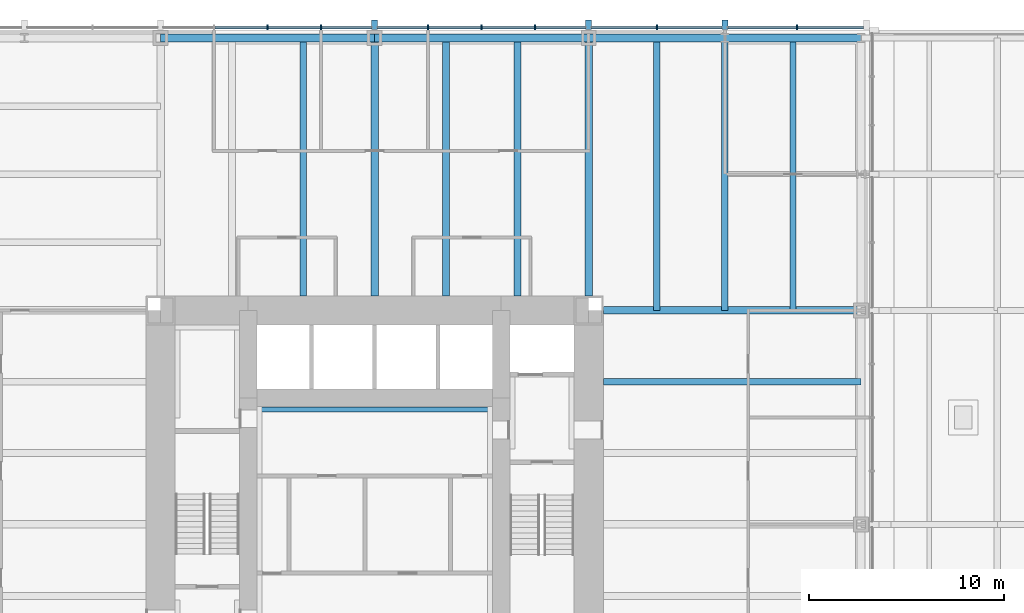
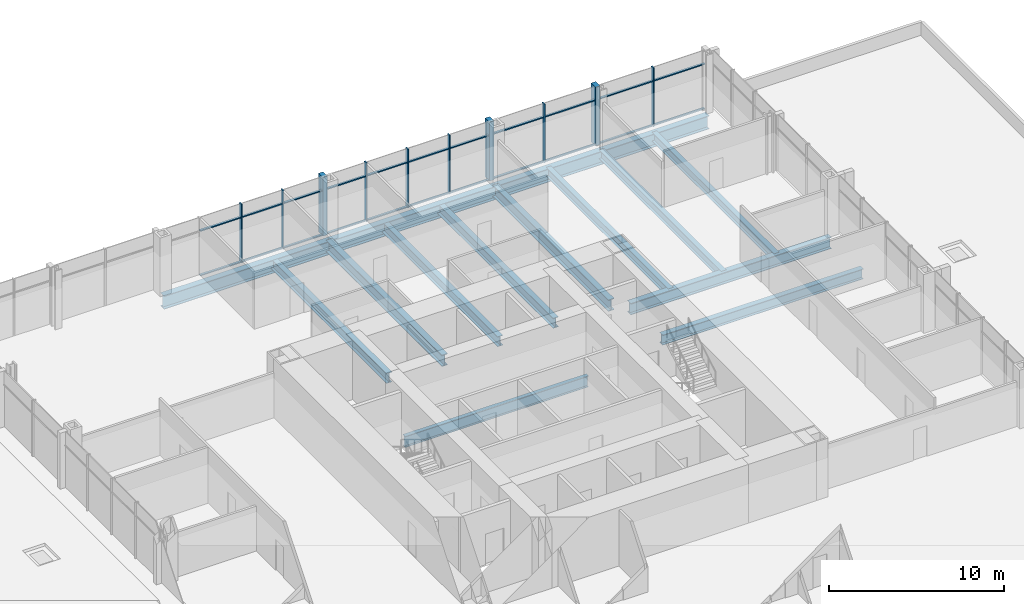
# One storey, part 6 of 15: 32 members, 15 beams, 1 element without a shape of its own.
"""IFC4 building model written with IfcOpenShell, lengths in metres."""

import ifcopenshell
import ifcopenshell.guid

model = None  # the IFC model being written
_history = None  # IfcOwnerHistory: only IFC2X3 demands one
_inside = {}  # id of a spatial element -> (the spatial element, [elements in it])
_under = {}  # id of a project, library or spatial element -> (it, [spatial elements below it])
_declared = {}  # id of a project -> (the project, [libraries it declares])
_typed = {}  # id of a type object -> (the type object, [elements of that type])
_made_of = {}  # id of a material, layer set ... -> (it, [elements and type objects made of it])


def new_model(schema):
    """Start an empty IFC model of exactly this schema.

    Asked for "IFC4X3", IfcOpenShell would pick the latest addendum, in which some entities
    have other attributes; the version numbers below select the first issue.
    IFC2X3 requires an IfcOwnerHistory on every rooted entity: one is made here for all.
    """
    global model, _history
    if schema == "IFC4X3":
        model = ifcopenshell.file(schema_version=(4, 3, 0, 0))
    else:
        model = ifcopenshell.file(schema=schema)
    _inside.clear()
    _under.clear()
    _declared.clear()
    _typed.clear()
    _made_of.clear()
    _history = None
    if model.schema == "IFC2X3":
        org = make("IfcOrganization", Name="unknown")
        user = make(
            "IfcPersonAndOrganization",
            ThePerson=make("IfcPerson", FamilyName="unknown"),
            TheOrganization=org,
        )
        app = make(
            "IfcApplication",
            ApplicationDeveloper=org,
            Version="unknown",
            ApplicationFullName="unknown",
            ApplicationIdentifier="unknown",
        )
        _history = make(
            "IfcOwnerHistory",
            OwningUser=user,
            OwningApplication=app,
            ChangeAction="ADDED",
            CreationDate=0,
        )
    return model


def make(cls, **values):
    """One entity of the class cls with the attributes given. An attribute that is None is left unset."""
    return model.create_entity(
        cls, **{name: value for name, value in values.items() if value is not None}
    )


def rooted(cls, **values):
    """An entity with a GlobalId (a new one), such as an element, a storey or a relation."""
    return make(cls, GlobalId=ifcopenshell.guid.new(), OwnerHistory=_history, **values)


def si_unit(unit_type, name, prefix=None):
    """IfcSIUnit, for example si_unit("LENGTHUNIT", "METRE", prefix="MILLI")."""
    return make("IfcSIUnit", UnitType=unit_type, Prefix=prefix, Name=name)


def assignment(units):
    """IfcUnitAssignment: the units of a project."""
    return None if units is None else make("IfcUnitAssignment", Units=units)


def point(xyz):
    """IfcCartesianPoint."""
    return None if xyz is None else make("IfcCartesianPoint", Coordinates=xyz)


def direction(xyz):
    """IfcDirection."""
    return None if xyz is None else make("IfcDirection", DirectionRatios=xyz)


def frame(location, z_axis=None, x_axis=None):
    """IfcAxis2Placement3D, a coordinate frame: its origin and axes. An axis left out is left unset."""
    return make(
        "IfcAxis2Placement3D",
        Location=point(location),
        Axis=direction(z_axis),
        RefDirection=direction(x_axis),
    )


def frame_2d(location, x_axis=None):
    """IfcAxis2Placement2D, a coordinate frame in the plane: its origin and x axis."""
    return make(
        "IfcAxis2Placement2D", Location=point(location), RefDirection=direction(x_axis)
    )


def origin():
    """The frame at (0, 0, 0) with its axes left unset."""
    return frame((0.0, 0.0, 0.0))


def origin_2d():
    """The frame at (0, 0) in the plane with its x axis left unset."""
    return frame_2d((0.0, 0.0))


def place(relative_to, where):
    """IfcLocalPlacement: puts the frame where relative to a parent placement (None: the world)."""
    return make(
        "IfcLocalPlacement", PlacementRelTo=relative_to, RelativePlacement=where
    )


def context(
    kind, dimensions, precision=None, world=None, true_north=None, identifier=None
):
    """IfcGeometricRepresentationContext, for example the 3D "Model" context."""
    return make(
        "IfcGeometricRepresentationContext",
        ContextIdentifier=identifier,
        ContextType=kind,
        CoordinateSpaceDimension=dimensions,
        Precision=precision,
        WorldCoordinateSystem=world,
        TrueNorth=true_north,
    )


def subcontext(parent, identifier, kind, view, scale=None):
    """IfcGeometricRepresentationSubContext, for example "Body" below "Model"."""
    return make(
        "IfcGeometricRepresentationSubContext",
        ContextIdentifier=identifier,
        ContextType=kind,
        ParentContext=parent,
        TargetScale=scale,
        TargetView=view,
    )


def project(units=None, contexts=None):
    """IfcProject with its units and contexts."""
    return rooted(
        "IfcProject",
        Name="project",
        RepresentationContexts=contexts,
        UnitsInContext=assignment(units),
    )


def spatial(cls, under=None, at=None, **own):
    """A site, building, storey or space (cls), placed at a placement, below another one or the project."""
    s = rooted(cls, ObjectPlacement=at, **own)
    if under is not None:
        _under.setdefault(under.id(), (under, []))[1].append(s)
    return s


def profile(cls, at=None, kind="AREA", **sizes):
    """A parametric profile (cls). Its sizes go by their IFC names, for example OverallWidth=200.0."""
    return make(cls, ProfileType=kind, Position=at, **sizes)


def rectangle(**sizes):
    """IfcRectangleProfileDef."""
    return profile("IfcRectangleProfileDef", **sizes)


def i_section(**sizes):
    """IfcIShapeProfileDef."""
    return profile("IfcIShapeProfileDef", **sizes)


def extrude(swept, where, along, depth):
    """IfcExtrudedAreaSolid: the profile swept, set in the frame where, extruded along a direction by depth."""
    return make(
        "IfcExtrudedAreaSolid",
        SweptArea=swept,
        Position=where,
        ExtrudedDirection=direction(along),
        Depth=depth,
    )


def shape(context_of_items, identifier, shape_type, items):
    """IfcShapeRepresentation: the items that make up one representation, for example the "Body"."""
    return make(
        "IfcShapeRepresentation",
        ContextOfItems=context_of_items,
        RepresentationIdentifier=identifier,
        RepresentationType=shape_type,
        Items=items,
    )


def material(Name=None, Category=None):
    """IfcMaterial."""
    return make("IfcMaterial", Name=Name, Category=Category)


def material_profile(
    of_material, cross_section, Name=None, Category=None, Priority=None
):
    """IfcMaterialProfile: a cross section and its material."""
    return make(
        "IfcMaterialProfile",
        Name=Name,
        Material=of_material,
        Profile=cross_section,
        Priority=Priority,
        Category=Category,
    )


def profile_set(profiles, Name=None, composite=None):
    """IfcMaterialProfileSet."""
    return make(
        "IfcMaterialProfileSet",
        Name=Name,
        MaterialProfiles=profiles,
        CompositeProfile=composite,
    )


def made_of(thing, what):
    """Note that an element or type object is made of a material, layer set ...; save() writes the relation."""
    if what is not None:
        _made_of.setdefault(what.id(), (what, []))[1].append(thing)
    return thing


def type_object(cls, material=None, **own):
    """A type object (cls), such as IfcWallType, which elements share."""
    return made_of(rooted(cls, **own), material)


def element(
    cls,
    number,
    at=None,
    inside=None,
    cuts=None,
    type_object=None,
    material=None,
    context=None,
    identifier="Body",
    shape_type=None,
    held_by="IfcProductDefinitionShape",
    body=None,
    shapes=None,
    **own,
):
    """One element of the class cls, such as IfcWall. Its Tag is "e" and its number.

    at: its placement. inside: the storey or other place that contains it. cuts: it is an
    opening in that element (IfcRelVoidsElement). A single representation is given by context,
    identifier, shape_type and body (its items); several are given by shapes. held_by: the class
    of the entity that holds the representations. save() writes the other relations.
    """
    e = rooted(cls, Tag="e%d" % number, ObjectPlacement=at, **own)
    if body is not None:
        shapes = [shape(context, identifier, shape_type, body)]
    if shapes is not None:
        e.Representation = make(held_by, Representations=shapes)
    if inside is not None:
        _inside.setdefault(inside.id(), (inside, []))[1].append(e)
    if cuts is not None:
        rooted(
            "IfcRelVoidsElement", RelatingBuildingElement=cuts, RelatedOpeningElement=e
        )
    if type_object is not None:
        _typed.setdefault(type_object.id(), (type_object, []))[1].append(e)
    return made_of(e, material)


def aggregate(whole, parts):
    """IfcRelAggregates: a whole, such as a stair, and the parts it consists of."""
    return rooted("IfcRelAggregates", RelatingObject=whole, RelatedObjects=parts)


def save(model, path):
    """Write the relations noted so far, then the file.

    IfcRelAggregates (storeys below a building ...), IfcRelContainedInSpatialStructure (elements
    in a storey), IfcRelDefinesByType, IfcRelAssociatesMaterial and IfcRelDeclares: one each for
    every whole, place, type object, material and project.
    """
    for whole, parts in _under.values():
        aggregate(whole, parts)
    for where, things in _inside.values():
        rooted(
            "IfcRelContainedInSpatialStructure",
            RelatedElements=things,
            RelatingStructure=where,
        )
    for kind, things in _typed.values():
        rooted("IfcRelDefinesByType", RelatedObjects=things, RelatingType=kind)
    for what, things in _made_of.values():
        rooted("IfcRelAssociatesMaterial", RelatedObjects=things, RelatingMaterial=what)
    for by, libraries in _declared.values():
        rooted("IfcRelDeclares", RelatingContext=by, RelatedDefinitions=libraries)
    model.write(path)


model = new_model("IFC4")

# Units and contexts
model_context = context("Model", 3, precision=1e-05, world=origin(), true_north=direction((0.0, 1.0)))
body_context = subcontext(model_context, "Body", "Model", "MODEL_VIEW")
ifc_project = project(units=[si_unit("LENGTHUNIT", "METRE"), si_unit("AREAUNIT", "SQUARE_METRE"), si_unit("VOLUMEUNIT", "CUBIC_METRE"), si_unit("PLANEANGLEUNIT", "RADIAN"), si_unit("MASSUNIT", "GRAM", prefix="KILO")], contexts=[model_context])

# Site, building, storey
site_placement = place(None, origin())
site = spatial("IfcSite", under=ifc_project, at=site_placement, CompositionType="ELEMENT")
building_placement = place(site_placement, origin())
building = spatial("IfcBuilding", under=site, at=building_placement, Name="Trevanion Tower", CompositionType="ELEMENT")
storey_placement = place(building_placement, frame((0.0, 0.0, 16.0)))
storey = spatial("IfcBuildingStorey", under=building, at=storey_placement, Name="L03", CompositionType="ELEMENT", Elevation=16.0)

# Beams
ifc_material_1 = material(Name="Steel ASTM A992 Grade 50", Category="steel")
ifc_material_profile_1 = material_profile(ifc_material_1, i_section(OverallWidth=0.355712890625, OverallDepth=0.700927734375, WebThickness=0.016845703125, FlangeThickness=0.02734375, at=origin_2d()), Name="W27X161")
ifc_profile_set_1 = profile_set([ifc_material_profile_1], Name="Steel ASTM A992 Grade 50")
beam_type_1 = type_object("IfcBeamType", Name="B1 W27X161", PredefinedType="BEAM", material=ifc_profile_set_1)
for number, where, z_axis, x_axis, name in (
    (1, (11.75, 7.333251953125, -0.54052734375), (1.0, 0.0, 0.0), (0.0, 1.0, 0.0), "B1 L03"),
    (2, (7.333251953125, 11.75, -0.54052734375), (0.0, 1.0, 0.0), (-1.0, 0.0, 0.0), "B1 L03"),
    (3, (3.666748046875, 11.75, -0.54052734375), (0.0, 1.0, 0.0), (-1.0, 0.0, 0.0), "B1 L03"),
    (4, (-3.666748046875, 11.75, -0.54052734375), (0.0, 1.0, 0.0), (-1.0, 0.0, 0.0), "B1 L03"),
):
    element("IfcBeam", number, at=place(storey_placement, frame(where, z_axis=z_axis, x_axis=x_axis)), inside=storey, type_object=beam_type_1, Name=name, PredefinedType="BEAM", context=body_context, shape_type="SweptSolid", body=[
        extrude(i_section(OverallWidth=0.355712890625, OverallDepth=0.700927734375, WebThickness=0.016845703125, FlangeThickness=0.02734375, at=origin_2d()), origin(), (0.0, 0.0, 1.0), 13.25),
    ])
ifc_material_2 = material(Name="Steel ASTM A992 Grade 50", Category="steel")
ifc_material_profile_2 = material_profile(ifc_material_2, i_section(OverallWidth=0.32763671875, OverallDepth=0.62744140625, WebThickness=0.0166015625, FlangeThickness=0.027587890625, at=origin_2d()), Name="W24X146")
ifc_profile_set_2 = profile_set([ifc_material_profile_2], Name="Steel ASTM A992 Grade 50")
beam_type_2 = type_object("IfcBeamType", Name="B2 W24X146", PredefinedType="BEAM", material=ifc_profile_set_2)
for number, where, z_axis, x_axis, name in (
    (5, (14.5, 11.0, -0.503662109375), (0.0, 1.0, 0.0), (-1.0, 0.0, 0.0), "B2 L03"),
    (6, (18.0, 11.0, -0.503662109375), (0.0, 1.0, 0.0), (-1.0, 0.0, 0.0), "B2 L03"),
    (7, (21.5, 11.0, -0.503662109375), (0.0, 1.0, 0.0), (-1.0, 0.0, 0.0), "B2 L03"),
):
    element("IfcBeam", number, at=place(storey_placement, frame(where, z_axis=z_axis, x_axis=x_axis)), inside=storey, type_object=beam_type_2, Name=name, PredefinedType="BEAM", context=body_context, shape_type="SweptSolid", body=[
        extrude(i_section(OverallWidth=0.32763671875, OverallDepth=0.62744140625, WebThickness=0.0166015625, FlangeThickness=0.027587890625, at=origin_2d()), origin(), (0.0, 0.0, 1.0), 14.0),
    ])

# Curtain wall, members
ifc_material_3 = material(Name="Aluminium and glass", Category="aluminium")
curtain_wall_type = type_object("IfcCurtainWallType", Name="CW1 curtain wall", PredefinedType="USERDEFINED", material=ifc_material_3)
curtain_wall_placement = place(storey_placement, origin())
curtain_wall = element("IfcCurtainWall", 8, at=curtain_wall_placement, inside=storey, type_object=curtain_wall_type, Name="CW1 L03 1", ObjectType="UNITISED CURTAIN WALL", PredefinedType="USERDEFINED")
ifc_material_4 = material(Name="Aluminium extrusion, anodised bronze", Category="aluminium")
ifc_material_profile_3 = material_profile(ifc_material_4, rectangle(XDim=0.074951171875, YDim=0.25, at=origin_2d()), Name="CW1 mullion")
ifc_profile_set_3 = profile_set([ifc_material_profile_3], Name="Aluminium extrusion, anodised bronze")
member_type_1 = type_object("IfcMemberType", Name="CW1 mullion", PredefinedType="MULLION", material=ifc_profile_set_3)
member_1_placement = place(storey_placement, frame((21.7099609375, 25.550048828125, -0.18994140625), z_axis=(0.0, 0.0, 1.0), x_axis=(-1.0, 0.0, 0.0)))
member_1 = element("IfcMember", 9, at=member_1_placement, type_object=member_type_1, Name="CW1 mullion 2", PredefinedType="MULLION", context=body_context, shape_type="SweptSolid", body=[
    extrude(rectangle(XDim=0.074951171875, YDim=0.25, at=origin_2d()), origin(), (0.0, 0.0, 1.0), 4.099853515625),
])
member_2_placement = place(storey_placement, frame((14.5, 25.550048828125, -0.18994140625), z_axis=(0.0, 0.0, 1.0), x_axis=(-1.0, 0.0, 0.0)))
member_2 = element("IfcMember", 10, at=member_2_placement, type_object=member_type_1, Name="CW1 mullion 4", PredefinedType="MULLION", context=body_context, shape_type="SweptSolid", body=[
    extrude(rectangle(XDim=0.074951171875, YDim=0.25, at=origin_2d()), origin(), (0.0, 0.0, 1.0), 4.099853515625),
])
member_3_placement = place(storey_placement, frame((8.25, 25.550048828125, -0.18994140625), z_axis=(0.0, 0.0, 1.0), x_axis=(-1.0, 0.0, 0.0)))
member_3 = element("IfcMember", 11, at=member_3_placement, type_object=member_type_1, Name="CW1 mullion 6", PredefinedType="MULLION", context=body_context, shape_type="SweptSolid", body=[
    extrude(rectangle(XDim=0.074951171875, YDim=0.25, at=origin_2d()), origin(), (0.0, 0.0, 1.0), 4.099853515625),
])
member_4_placement = place(storey_placement, frame((5.5, 25.550048828125, -0.18994140625), z_axis=(0.0, 0.0, 1.0), x_axis=(-1.0, 0.0, 0.0)))
member_4 = element("IfcMember", 12, at=member_4_placement, type_object=member_type_1, Name="CW1 mullion 7", PredefinedType="MULLION", context=body_context, shape_type="SweptSolid", body=[
    extrude(rectangle(XDim=0.074951171875, YDim=0.25, at=origin_2d()), origin(), (0.0, 0.0, 1.0), 4.099853515625),
])
member_5_placement = place(storey_placement, frame((2.75, 25.550048828125, -0.18994140625), z_axis=(0.0, 0.0, 1.0), x_axis=(-1.0, 0.0, 0.0)))
member_5 = element("IfcMember", 13, at=member_5_placement, type_object=member_type_1, Name="CW1 mullion 8", PredefinedType="MULLION", context=body_context, shape_type="SweptSolid", body=[
    extrude(rectangle(XDim=0.074951171875, YDim=0.25, at=origin_2d()), origin(), (0.0, 0.0, 1.0), 4.099853515625),
])
member_6_placement = place(storey_placement, frame((-2.75, 25.550048828125, -0.18994140625), z_axis=(0.0, 0.0, 1.0), x_axis=(-1.0, 0.0, 0.0)))
member_6 = element("IfcMember", 14, at=member_6_placement, type_object=member_type_1, Name="CW1 mullion 10", PredefinedType="MULLION", context=body_context, shape_type="SweptSolid", body=[
    extrude(rectangle(XDim=0.074951171875, YDim=0.25, at=origin_2d()), origin(), (0.0, 0.0, 1.0), 4.099853515625),
])
member_7_placement = place(storey_placement, frame((-5.5, 25.550048828125, -0.18994140625), z_axis=(0.0, 0.0, 1.0), x_axis=(-1.0, 0.0, 0.0)))
member_7 = element("IfcMember", 15, at=member_7_placement, type_object=member_type_1, Name="CW1 mullion 11", PredefinedType="MULLION", context=body_context, shape_type="SweptSolid", body=[
    extrude(rectangle(XDim=0.074951171875, YDim=0.25, at=origin_2d()), origin(), (0.0, 0.0, 1.0), 4.099853515625),
])
ifc_material_5 = material(Name="Aluminium extrusion, anodised bronze", Category="aluminium")
ifc_material_profile_4 = material_profile(ifc_material_5, rectangle(XDim=0.300048828125, YDim=0.5, at=origin_2d()), Name="CW1 pier mullion")
ifc_profile_set_4 = profile_set([ifc_material_profile_4], Name="Aluminium extrusion, anodised bronze")
member_type_2 = type_object("IfcMemberType", Name="CW1 pier mullion", PredefinedType="MULLION", material=ifc_profile_set_4)
member_8_placement = place(storey_placement, frame((18.0, 25.675048828125, -0.18994140625), z_axis=(0.0, 0.0, 1.0), x_axis=(-1.0, 0.0, 0.0)))
member_8 = element("IfcMember", 16, at=member_8_placement, type_object=member_type_2, Name="CW1 pier mullion 3", PredefinedType="MULLION", context=body_context, shape_type="SweptSolid", body=[
    extrude(rectangle(XDim=0.300048828125, YDim=0.5, at=origin_2d()), origin(), (0.0, 0.0, 1.0), 4.099853515625),
])
member_9_placement = place(storey_placement, frame((11.0, 25.675048828125, -0.18994140625), z_axis=(0.0, 0.0, 1.0), x_axis=(-1.0, 0.0, 0.0)))
member_9 = element("IfcMember", 17, at=member_9_placement, type_object=member_type_2, Name="CW1 pier mullion 5", PredefinedType="MULLION", context=body_context, shape_type="SweptSolid", body=[
    extrude(rectangle(XDim=0.300048828125, YDim=0.5, at=origin_2d()), origin(), (0.0, 0.0, 1.0), 4.099853515625),
])
member_10_placement = place(storey_placement, frame((0.0, 25.675048828125, -0.18994140625), z_axis=(0.0, 0.0, 1.0), x_axis=(-1.0, 0.0, 0.0)))
member_10 = element("IfcMember", 18, at=member_10_placement, type_object=member_type_2, Name="CW1 pier mullion 9", PredefinedType="MULLION", context=body_context, shape_type="SweptSolid", body=[
    extrude(rectangle(XDim=0.300048828125, YDim=0.5, at=origin_2d()), origin(), (0.0, 0.0, 1.0), 4.099853515625),
])
ifc_material_6 = material(Name="Aluminium extrusion, anodised bronze", Category="aluminium")
ifc_material_profile_5 = material_profile(ifc_material_6, rectangle(XDim=0.14990234375, YDim=0.074951171875, at=origin_2d()), Name="CW1 transom")
ifc_profile_set_5 = profile_set([ifc_material_profile_5], Name="Aluminium extrusion, anodised bronze")
member_type_3 = type_object("IfcMemberType", Name="CW1 transom", PredefinedType="USERDEFINED", material=ifc_profile_set_5)
member_11_placement = place(storey_placement, frame((25.1201171875, 25.550048828125, -0.152587890625), z_axis=(-1.0, 0.0, 0.0), x_axis=(0.0, -1.0, 0.0)))
member_11 = element("IfcMember", 19, at=member_11_placement, type_object=member_type_3, Name="CW1 transom 1.1", ObjectType="TRANSOM", PredefinedType="USERDEFINED", context=body_context, shape_type="SweptSolid", body=[
    extrude(rectangle(XDim=0.14990234375, YDim=0.074951171875, at=origin_2d()), origin(), (0.0, 0.0, 1.0), 3.37255859375),
])
member_12_placement = place(storey_placement, frame((25.1201171875, 25.550048828125, 2.9599609375), z_axis=(-1.0, 0.0, 0.0), x_axis=(0.0, -1.0, 0.0)))
member_12 = element("IfcMember", 20, at=member_12_placement, type_object=member_type_3, Name="CW1 transom 1.2", ObjectType="TRANSOM", PredefinedType="USERDEFINED", context=body_context, shape_type="SweptSolid", body=[
    extrude(rectangle(XDim=0.14990234375, YDim=0.074951171875, at=origin_2d()), origin(), (0.0, 0.0, 1.0), 3.37255859375),
])
member_13_placement = place(storey_placement, frame((21.672607421875, 25.550048828125, -0.152587890625), z_axis=(-1.0, 0.0, 0.0), x_axis=(0.0, -1.0, 0.0)))
member_13 = element("IfcMember", 21, at=member_13_placement, type_object=member_type_3, Name="CW1 transom 2.1", ObjectType="TRANSOM", PredefinedType="USERDEFINED", context=body_context, shape_type="SweptSolid", body=[
    extrude(rectangle(XDim=0.14990234375, YDim=0.074951171875, at=origin_2d()), origin(), (0.0, 0.0, 1.0), 3.522705078125),
])
member_14_placement = place(storey_placement, frame((21.672607421875, 25.550048828125, 2.9599609375), z_axis=(-1.0, 0.0, 0.0), x_axis=(0.0, -1.0, 0.0)))
member_14 = element("IfcMember", 22, at=member_14_placement, type_object=member_type_3, Name="CW1 transom 2.2", ObjectType="TRANSOM", PredefinedType="USERDEFINED", context=body_context, shape_type="SweptSolid", body=[
    extrude(rectangle(XDim=0.14990234375, YDim=0.074951171875, at=origin_2d()), origin(), (0.0, 0.0, 1.0), 3.522705078125),
])
member_15_placement = place(storey_placement, frame((17.85009765625, 25.550048828125, -0.152587890625), z_axis=(-1.0, 0.0, 0.0), x_axis=(0.0, -1.0, 0.0)))
member_15 = element("IfcMember", 23, at=member_15_placement, type_object=member_type_3, Name="CW1 transom 3.1", ObjectType="TRANSOM", PredefinedType="USERDEFINED", context=body_context, shape_type="SweptSolid", body=[
    extrude(rectangle(XDim=0.14990234375, YDim=0.074951171875, at=origin_2d()), origin(), (0.0, 0.0, 1.0), 3.3125),
])
member_16_placement = place(storey_placement, frame((17.85009765625, 25.550048828125, 2.9599609375), z_axis=(-1.0, 0.0, 0.0), x_axis=(0.0, -1.0, 0.0)))
member_16 = element("IfcMember", 24, at=member_16_placement, type_object=member_type_3, Name="CW1 transom 3.2", ObjectType="TRANSOM", PredefinedType="USERDEFINED", context=body_context, shape_type="SweptSolid", body=[
    extrude(rectangle(XDim=0.14990234375, YDim=0.074951171875, at=origin_2d()), origin(), (0.0, 0.0, 1.0), 3.3125),
])
member_17_placement = place(storey_placement, frame((14.46240234375, 25.550048828125, -0.152587890625), z_axis=(-1.0, 0.0, 0.0), x_axis=(0.0, -1.0, 0.0)))
member_17 = element("IfcMember", 25, at=member_17_placement, type_object=member_type_3, Name="CW1 transom 4.1", ObjectType="TRANSOM", PredefinedType="USERDEFINED", context=body_context, shape_type="SweptSolid", body=[
    extrude(rectangle(XDim=0.14990234375, YDim=0.074951171875, at=origin_2d()), origin(), (0.0, 0.0, 1.0), 3.3125),
])
member_18_placement = place(storey_placement, frame((14.46240234375, 25.550048828125, 2.9599609375), z_axis=(-1.0, 0.0, 0.0), x_axis=(0.0, -1.0, 0.0)))
member_18 = element("IfcMember", 26, at=member_18_placement, type_object=member_type_3, Name="CW1 transom 4.2", ObjectType="TRANSOM", PredefinedType="USERDEFINED", context=body_context, shape_type="SweptSolid", body=[
    extrude(rectangle(XDim=0.14990234375, YDim=0.074951171875, at=origin_2d()), origin(), (0.0, 0.0, 1.0), 3.3125),
])
member_19_placement = place(storey_placement, frame((10.85009765625, 25.550048828125, -0.152587890625), z_axis=(-1.0, 0.0, 0.0), x_axis=(0.0, -1.0, 0.0)))
member_19 = element("IfcMember", 27, at=member_19_placement, type_object=member_type_3, Name="CW1 transom 5.1", ObjectType="TRANSOM", PredefinedType="USERDEFINED", context=body_context, shape_type="SweptSolid", body=[
    extrude(rectangle(XDim=0.14990234375, YDim=0.074951171875, at=origin_2d()), origin(), (0.0, 0.0, 1.0), 2.5625),
])
member_20_placement = place(storey_placement, frame((10.85009765625, 25.550048828125, 2.9599609375), z_axis=(-1.0, 0.0, 0.0), x_axis=(0.0, -1.0, 0.0)))
member_20 = element("IfcMember", 28, at=member_20_placement, type_object=member_type_3, Name="CW1 transom 5.2", ObjectType="TRANSOM", PredefinedType="USERDEFINED", context=body_context, shape_type="SweptSolid", body=[
    extrude(rectangle(XDim=0.14990234375, YDim=0.074951171875, at=origin_2d()), origin(), (0.0, 0.0, 1.0), 2.5625),
])
member_21_placement = place(storey_placement, frame((8.21240234375, 25.550048828125, -0.152587890625), z_axis=(-1.0, 0.0, 0.0), x_axis=(0.0, -1.0, 0.0)))
member_21 = element("IfcMember", 29, at=member_21_placement, type_object=member_type_3, Name="CW1 transom 6.1", ObjectType="TRANSOM", PredefinedType="USERDEFINED", context=body_context, shape_type="SweptSolid", body=[
    extrude(rectangle(XDim=0.14990234375, YDim=0.074951171875, at=origin_2d()), origin(), (0.0, 0.0, 1.0), 2.6748046875),
])
member_22_placement = place(storey_placement, frame((8.21240234375, 25.550048828125, 2.9599609375), z_axis=(-1.0, 0.0, 0.0), x_axis=(0.0, -1.0, 0.0)))
member_22 = element("IfcMember", 30, at=member_22_placement, type_object=member_type_3, Name="CW1 transom 6.2", ObjectType="TRANSOM", PredefinedType="USERDEFINED", context=body_context, shape_type="SweptSolid", body=[
    extrude(rectangle(XDim=0.14990234375, YDim=0.074951171875, at=origin_2d()), origin(), (0.0, 0.0, 1.0), 2.6748046875),
])
member_23_placement = place(storey_placement, frame((5.46240234375, 25.550048828125, -0.152587890625), z_axis=(-1.0, 0.0, 0.0), x_axis=(0.0, -1.0, 0.0)))
member_23 = element("IfcMember", 31, at=member_23_placement, type_object=member_type_3, Name="CW1 transom 7.1", ObjectType="TRANSOM", PredefinedType="USERDEFINED", context=body_context, shape_type="SweptSolid", body=[
    extrude(rectangle(XDim=0.14990234375, YDim=0.074951171875, at=origin_2d()), origin(), (0.0, 0.0, 1.0), 2.6748046875),
])
member_24_placement = place(storey_placement, frame((5.46240234375, 25.550048828125, 2.9599609375), z_axis=(-1.0, 0.0, 0.0), x_axis=(0.0, -1.0, 0.0)))
member_24 = element("IfcMember", 32, at=member_24_placement, type_object=member_type_3, Name="CW1 transom 7.2", ObjectType="TRANSOM", PredefinedType="USERDEFINED", context=body_context, shape_type="SweptSolid", body=[
    extrude(rectangle(XDim=0.14990234375, YDim=0.074951171875, at=origin_2d()), origin(), (0.0, 0.0, 1.0), 2.6748046875),
])
member_25_placement = place(storey_placement, frame((2.71240234375, 25.550048828125, -0.152587890625), z_axis=(-1.0, 0.0, 0.0), x_axis=(0.0, -1.0, 0.0)))
member_25 = element("IfcMember", 33, at=member_25_placement, type_object=member_type_3, Name="CW1 transom 8.1", ObjectType="TRANSOM", PredefinedType="USERDEFINED", context=body_context, shape_type="SweptSolid", body=[
    extrude(rectangle(XDim=0.14990234375, YDim=0.074951171875, at=origin_2d()), origin(), (0.0, 0.0, 1.0), 2.5625),
])
member_26_placement = place(storey_placement, frame((2.71240234375, 25.550048828125, 2.9599609375), z_axis=(-1.0, 0.0, 0.0), x_axis=(0.0, -1.0, 0.0)))
member_26 = element("IfcMember", 34, at=member_26_placement, type_object=member_type_3, Name="CW1 transom 8.2", ObjectType="TRANSOM", PredefinedType="USERDEFINED", context=body_context, shape_type="SweptSolid", body=[
    extrude(rectangle(XDim=0.14990234375, YDim=0.074951171875, at=origin_2d()), origin(), (0.0, 0.0, 1.0), 2.5625),
])
member_27_placement = place(storey_placement, frame((-0.14990234375, 25.550048828125, -0.152587890625), z_axis=(-1.0, 0.0, 0.0), x_axis=(0.0, -1.0, 0.0)))
member_27 = element("IfcMember", 35, at=member_27_placement, type_object=member_type_3, Name="CW1 transom 9.1", ObjectType="TRANSOM", PredefinedType="USERDEFINED", context=body_context, shape_type="SweptSolid", body=[
    extrude(rectangle(XDim=0.14990234375, YDim=0.074951171875, at=origin_2d()), origin(), (0.0, 0.0, 1.0), 2.5625),
])
member_28_placement = place(storey_placement, frame((-0.14990234375, 25.550048828125, 2.9599609375), z_axis=(-1.0, 0.0, 0.0), x_axis=(0.0, -1.0, 0.0)))
member_28 = element("IfcMember", 36, at=member_28_placement, type_object=member_type_3, Name="CW1 transom 9.2", ObjectType="TRANSOM", PredefinedType="USERDEFINED", context=body_context, shape_type="SweptSolid", body=[
    extrude(rectangle(XDim=0.14990234375, YDim=0.074951171875, at=origin_2d()), origin(), (0.0, 0.0, 1.0), 2.5625),
])
member_29_placement = place(storey_placement, frame((-2.78759765625, 25.550048828125, -0.152587890625), z_axis=(-1.0, 0.0, 0.0), x_axis=(0.0, -1.0, 0.0)))
member_29 = element("IfcMember", 37, at=member_29_placement, type_object=member_type_3, Name="CW1 transom 10.1", ObjectType="TRANSOM", PredefinedType="USERDEFINED", context=body_context, shape_type="SweptSolid", body=[
    extrude(rectangle(XDim=0.14990234375, YDim=0.074951171875, at=origin_2d()), origin(), (0.0, 0.0, 1.0), 2.6748046875),
])
member_30_placement = place(storey_placement, frame((-2.78759765625, 25.550048828125, 2.9599609375), z_axis=(-1.0, 0.0, 0.0), x_axis=(0.0, -1.0, 0.0)))
member_30 = element("IfcMember", 38, at=member_30_placement, type_object=member_type_3, Name="CW1 transom 10.2", ObjectType="TRANSOM", PredefinedType="USERDEFINED", context=body_context, shape_type="SweptSolid", body=[
    extrude(rectangle(XDim=0.14990234375, YDim=0.074951171875, at=origin_2d()), origin(), (0.0, 0.0, 1.0), 2.6748046875),
])
member_31_placement = place(storey_placement, frame((-5.53759765625, 25.550048828125, -0.152587890625), z_axis=(-1.0, 0.0, 0.0), x_axis=(0.0, -1.0, 0.0)))
member_31 = element("IfcMember", 39, at=member_31_placement, type_object=member_type_3, Name="CW1 transom 11.1", ObjectType="TRANSOM", PredefinedType="USERDEFINED", context=body_context, shape_type="SweptSolid", body=[
    extrude(rectangle(XDim=0.14990234375, YDim=0.074951171875, at=origin_2d()), origin(), (0.0, 0.0, 1.0), 2.6748046875),
])
member_32_placement = place(storey_placement, frame((-5.53759765625, 25.550048828125, 2.9599609375), z_axis=(-1.0, 0.0, 0.0), x_axis=(0.0, -1.0, 0.0)))
member_32 = element("IfcMember", 40, at=member_32_placement, type_object=member_type_3, Name="CW1 transom 11.2", ObjectType="TRANSOM", PredefinedType="USERDEFINED", context=body_context, shape_type="SweptSolid", body=[
    extrude(rectangle(XDim=0.14990234375, YDim=0.074951171875, at=origin_2d()), origin(), (0.0, 0.0, 1.0), 2.6748046875),
])
aggregate(curtain_wall, [member_1, member_8, member_2, member_9, member_3, member_4, member_5, member_10, member_6, member_7, member_11, member_12, member_13, member_14, member_15, member_16, member_17, member_18, member_19, member_20, member_21, member_22, member_23, member_24, member_25, member_26, member_27, member_28, member_29, member_30, member_31, member_32])

# Beams
ifc_material_7 = material(Name="Steel ASTM A992 Grade 50", Category="steel")
ifc_material_profile_6 = material_profile(ifc_material_7, i_section(OverallWidth=0.385986328125, OverallDepth=0.802734375, WebThickness=0.023681640625, FlangeThickness=0.0419921875, at=origin_2d()), Name="W30X261")
ifc_profile_set_6 = profile_set([ifc_material_profile_6], Name="Steel ASTM A992 Grade 50")
beam_type_3 = type_object("IfcBeamType", Name="G1 W30X261", PredefinedType="BEAM", material=ifc_profile_set_6)
for number, where, z_axis, x_axis, name in (
    (41, (11.75, 11.0, -0.59130859375), (1.0, 0.0, 0.0), (0.0, 1.0, 0.0), "G1 L03"),
    (42, (11.0, 11.75, -0.59130859375), (0.0, 1.0, 0.0), (-1.0, 0.0, 0.0), "G1 L03"),
    (43, (0.0, 11.75, -0.59130859375), (0.0, 1.0, 0.0), (-1.0, 0.0, 0.0), "G1 L03"),
):
    element("IfcBeam", number, at=place(storey_placement, frame(where, z_axis=z_axis, x_axis=x_axis)), inside=storey, type_object=beam_type_3, Name=name, PredefinedType="BEAM", context=body_context, shape_type="SweptSolid", body=[
        extrude(i_section(OverallWidth=0.385986328125, OverallDepth=0.802734375, WebThickness=0.023681640625, FlangeThickness=0.0419921875, at=origin_2d()), origin(), (0.0, 0.0, 1.0), 13.25),
    ])
ifc_material_8 = material(Name="Steel ASTM A992 Grade 50", Category="steel")
ifc_material_profile_7 = material_profile(ifc_material_8, i_section(OverallWidth=0.2666015625, OverallDepth=0.76953125, WebThickness=0.015625, FlangeThickness=0.025390625, at=origin_2d()), Name="W30X132")
ifc_profile_set_7 = profile_set([ifc_material_profile_7], Name="Steel ASTM A992 Grade 50")
beam_type_4 = type_object("IfcBeamType", Name="LB3 W30X132", PredefinedType="BEAM", material=ifc_profile_set_7)
beam_placement = place(storey_placement, frame((-6.050048828125, 5.91650390625, -0.584716796875), z_axis=(1.0, 0.0, 0.0), x_axis=(0.0, 1.0, 0.0)))
element("IfcBeam", 44, at=beam_placement, inside=storey, type_object=beam_type_4, Name="LB3 L03", PredefinedType="BEAM", context=body_context, shape_type="SweptSolid", body=[
    extrude(i_section(OverallWidth=0.2666015625, OverallDepth=0.76953125, WebThickness=0.015625, FlangeThickness=0.025390625, at=origin_2d()), origin(), (0.0, 0.0, 1.0), 12.10009765625),
])
ifc_material_9 = material(Name="Steel ASTM A992 Grade 50", Category="steel")
ifc_material_profile_8 = material_profile(ifc_material_9, i_section(OverallWidth=0.419189453125, OverallDepth=0.927001953125, WebThickness=0.019287109375, FlangeThickness=0.031982421875, at=origin_2d()), Name="W36X231")
ifc_profile_set_8 = profile_set([ifc_material_profile_8], Name="Steel ASTM A992 Grade 50")
beam_type_5 = type_object("IfcBeamType", Name="SB1 W36X231", PredefinedType="SPANDREL", material=ifc_profile_set_8)
for number, where, z_axis, x_axis, name in (
    (45, (25.0, 25.0, -0.653564453125), (-1.0, 0.0, 0.0), (0.0, -1.0, 0.0), "SB1 L03"),
    (46, (18.0, 25.0, -0.653564453125), (-1.0, 0.0, 0.0), (0.0, -1.0, 0.0), "SB1 L03"),
):
    element("IfcBeam", number, at=place(storey_placement, frame(where, z_axis=z_axis, x_axis=x_axis)), inside=storey, type_object=beam_type_5, Name=name, PredefinedType="SPANDREL", context=body_context, shape_type="SweptSolid", body=[
        extrude(i_section(OverallWidth=0.419189453125, OverallDepth=0.927001953125, WebThickness=0.019287109375, FlangeThickness=0.031982421875, at=origin_2d()), origin(), (0.0, 0.0, 1.0), 7.0),
    ])
for number, where, z_axis, x_axis, name in (
    (47, (11.0, 25.0, -0.653564453125), (-1.0, 0.0, 0.0), (0.0, -1.0, 0.0), "SB1 L03"),
    (48, (0.0, 25.0, -0.653564453125), (-1.0, 0.0, 0.0), (0.0, -1.0, 0.0), "SB1 L03"),
):
    element("IfcBeam", number, at=place(storey_placement, frame(where, z_axis=z_axis, x_axis=x_axis)), inside=storey, type_object=beam_type_5, Name=name, PredefinedType="SPANDREL", context=body_context, shape_type="SweptSolid", body=[
        extrude(i_section(OverallWidth=0.419189453125, OverallDepth=0.927001953125, WebThickness=0.019287109375, FlangeThickness=0.031982421875, at=origin_2d()), origin(), (0.0, 0.0, 1.0), 11.0),
    ])

save(model, "model.ifc")
